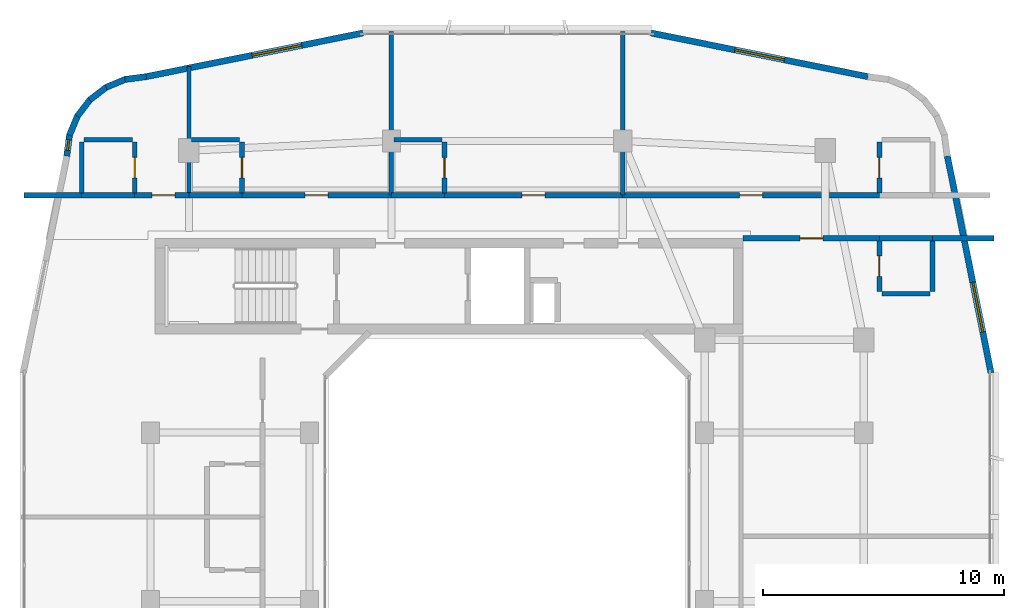
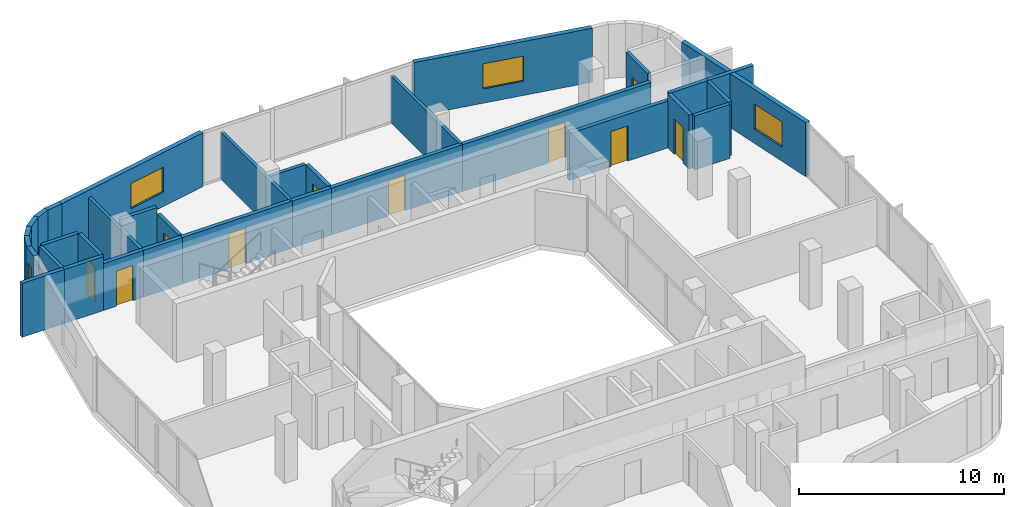
# One storey, part 9 of 14: 34 walls, 10 doors, 4 windows, 14 openings.
"""IFC4 building model written with IfcOpenShell, lengths in metres."""

from ifc_helpers import new_model, si_unit, derived_unit, direction, frame, frame_2d, origin, place, context, subcontext, project, spatial, rectangle, extrude, material, layer, layer_set, type_object, element, fill, save


model = new_model("IFC4")

# Units and contexts
model_context = context("Model", 3, precision=1e-05, world=origin(), true_north=direction((0.0, 1.0)))
body_context = subcontext(model_context, "Body", "Model", "MODEL_VIEW")
ifc_project = project(units=[si_unit("LENGTHUNIT", "METRE"), si_unit("AREAUNIT", "SQUARE_METRE"), si_unit("VOLUMEUNIT", "CUBIC_METRE"), si_unit("PLANEANGLEUNIT", "RADIAN"), si_unit("MASSUNIT", "GRAM", prefix="KILO"), derived_unit("THERMALTRANSMITTANCEUNIT", [(si_unit("POWERUNIT", "WATT"), 1), (si_unit("LENGTHUNIT", "METRE"), -2), (si_unit("THERMODYNAMICTEMPERATUREUNIT", "KELVIN"), -1)])], contexts=[model_context])

# Site, building, storey
site_placement = place(None, origin())
site = spatial("IfcSite", under=ifc_project, at=site_placement, CompositionType="ELEMENT")
building_placement = place(site_placement, origin())
building = spatial("IfcBuilding", under=site, at=building_placement, Name="Kivonza Crest Hotel", CompositionType="ELEMENT")
storey_placement = place(building_placement, frame((0.0, 0.0, 159.0)))
storey = spatial("IfcBuildingStorey", under=building, at=storey_placement, Name="L43", CompositionType="ELEMENT", Elevation=159.0)

# Walls
ifc_material_1 = material(Name="High-density acoustic masonry inter-tenancy wall", Category="masonry")
ifc_layer_1 = layer(ifc_material_1, 0.179931640625)
ifc_layer_set_1 = layer_set([ifc_layer_1], Name="High-density acoustic masonry inter-tenancy wall")
wall_type_1 = type_object("IfcWallType", Name="WL-ACOU-180", PredefinedType="SOLIDWALL", material=ifc_layer_set_1)
wall_1_placement = place(storey_placement, frame((7.800048828125, 38.35009765625, 0.0), z_axis=(0.0, 0.0, 1.0), x_axis=(0.0, 1.0, 0.0)))
element("IfcWall", 1, at=wall_1_placement, inside=storey, type_object=wall_type_1, Name="L43 interior partition WA-L43-T1N-DIV1", PredefinedType="SOLIDWALL", context=body_context, shape_type="SweptSolid", body=[
    extrude(rectangle(XDim=5.350830078125, YDim=0.179931640625, at=frame_2d((2.67529296875, 0.0))), origin(), (0.0, 0.0, 1.0), 2.794921875),
])
for number, where, z_axis, x_axis, name in (
    (2, (16.199951171875, 38.35009765625, 0.0), (0.0, 0.0, 1.0), (0.0, 1.0, 0.0), "L43 interior partition WA-L43-T1N-DIV2"),
    (3, (25.800048828125, 38.35009765625, 0.0), (0.0, 0.0, 1.0), (0.0, 1.0, 0.0), "L43 interior partition WA-L43-T1N-DIV3"),
):
    element("IfcWall", number, at=place(storey_placement, frame(where, z_axis=z_axis, x_axis=x_axis)), inside=storey, type_object=wall_type_1, Name=name, PredefinedType="SOLIDWALL", context=body_context, shape_type="SweptSolid", body=[
        extrude(rectangle(XDim=6.789794921875, YDim=0.179931640625, at=frame_2d((3.39501953125, 0.0))), origin(), (0.0, 0.0, 1.0), 2.794921875),
    ])
ifc_material_2 = material(Name="Autoclaved aerated concrete blockwork", Category="masonry")
ifc_layer_2 = layer(ifc_material_2, 0.219970703125)
ifc_layer_set_2 = layer_set([ifc_layer_2], Name="Autoclaved aerated concrete blockwork")
wall_type_2 = type_object("IfcWallType", Name="WL-ACOU-220", PredefinedType="SOLIDWALL", material=ifc_layer_set_2)
wall_2_placement = place(storey_placement, frame((0.9599609375, 38.35009765625, 0.0), z_axis=(0.0, 0.0, 1.0), x_axis=(1.0, 0.0, 0.0)))
element("IfcWall", 4, at=wall_2_placement, inside=storey, type_object=wall_type_2, Name="L43 interior partition WA-L43-N01-XCORR", PredefinedType="SOLIDWALL", context=body_context, shape_type="SweptSolid", body=[
    extrude(rectangle(XDim=2.39013671875, YDim=0.219970703125, at=frame_2d((1.195068359375, 0.0))), origin(), (0.0, 0.0, 1.0), 3.219970703125),
])
wall_3_placement = place(storey_placement, frame((3.35009765625, 38.35009765625, 0.0), z_axis=(0.0, 0.0, 1.0), x_axis=(1.0, 0.0, 0.0)))
element("IfcWall", 5, at=wall_3_placement, inside=storey, type_object=wall_type_2, Name="L43 interior partition WA-L43-N01-BCORR", PredefinedType="SOLIDWALL", context=body_context, shape_type="SweptSolid", body=[
    extrude(rectangle(XDim=2.199951171875, YDim=0.219970703125, at=frame_2d((1.10009765625, 0.0))), origin(), (0.0, 0.0, 1.0), 3.219970703125),
])

# Wall, opening, door
wall_4_placement = place(storey_placement, frame((5.550048828125, 38.35009765625, 0.0), z_axis=(0.0, 0.0, 1.0), x_axis=(1.0, 0.0, 0.0)))
wall_4 = element("IfcWall", 6, at=wall_4_placement, inside=storey, type_object=wall_type_2, Name="L43 interior partition WA-L43-N01-MCORR", PredefinedType="SOLIDWALL", context=body_context, shape_type="SweptSolid", body=[
    extrude(rectangle(XDim=2.25, YDim=0.219970703125, at=frame_2d((1.125, 0.0))), origin(), (0.0, 0.0, 1.0), 2.794921875),
])
opening_1_placement = place(wall_4_placement, frame((0.719970703125, 0.0, 0.0)))
opening_1 = element("IfcOpeningElement", 7, at=opening_1_placement, cuts=wall_4, Name="Opening DU-60", PredefinedType="OPENING", context=body_context, shape_type="SweptSolid", body=[
    extrude(rectangle(XDim=0.949951171875, YDim=2.10009765625, at=frame_2d((0.47509765625, 1.050048828125))), frame((0.0, 0.1201171875, 0.0), z_axis=(0.0, -1.0, 0.0), x_axis=(1.0, 0.0, 0.0)), (0.0, 0.0, 1.0), 0.239990234375),
])
ifc_material_3 = material(Name="Hardwood timber oak", Category="wood")
door_type_1 = type_object("IfcDoorType", Name="DR-UNIT-950", OperationType="NOTDEFINED", PredefinedType="DOOR", material=ifc_material_3)
door_1_placement = place(opening_1_placement, origin())
door_1 = element("IfcDoor", 8, at=door_1_placement, inside=storey, type_object=door_type_1, Name="L43 N01 guest unit entrance fire door", OperationType="SINGLE_SWING_LEFT", OverallHeight=2.10009765625, OverallWidth=0.949951171875, PredefinedType="DOOR", context=body_context, shape_type="SweptSolid", body=[
    extrude(rectangle(XDim=0.949951171875, YDim=2.10009765625, at=frame_2d((0.47509765625, 1.050048828125))), frame((0.0, 0.02490234375, 0.0), z_axis=(0.0, -1.0, 0.0), x_axis=(1.0, 0.0, 0.0)), (0.0, 0.0, 1.0), 0.050048828125),
])
fill(opening_1, door_1)

# Wall
wall_5_placement = place(storey_placement, frame((7.800048828125, 38.35009765625, 0.0), z_axis=(0.0, 0.0, 1.0), x_axis=(1.0, 0.0, 0.0)))
element("IfcWall", 9, at=wall_5_placement, inside=storey, type_object=wall_type_2, Name="L43 interior partition WA-L43-N02-BCORR", PredefinedType="SOLIDWALL", context=body_context, shape_type="SweptSolid", body=[
    extrude(rectangle(XDim=2.199951171875, YDim=0.219970703125, at=frame_2d((1.10009765625, 0.0))), origin(), (0.0, 0.0, 1.0), 2.794921875),
])

# Wall, opening, door
wall_6_placement = place(storey_placement, frame((10.0, 38.35009765625, 0.0), z_axis=(0.0, 0.0, 1.0), x_axis=(1.0, 0.0, 0.0)))
wall_6 = element("IfcWall", 10, at=wall_6_placement, inside=storey, type_object=wall_type_2, Name="L43 interior partition WA-L43-N02-MCORR", PredefinedType="SOLIDWALL", context=body_context, shape_type="SweptSolid", body=[
    extrude(rectangle(XDim=6.199951171875, YDim=0.219970703125, at=frame_2d((3.10009765625, 0.0))), origin(), (0.0, 0.0, 1.0), 2.794921875),
])
opening_2_placement = place(wall_6_placement, frame((2.625, 0.0, 0.0)))
opening_2 = element("IfcOpeningElement", 11, at=opening_2_placement, cuts=wall_6, Name="Opening DU-60", PredefinedType="OPENING", context=body_context, shape_type="SweptSolid", body=[
    extrude(rectangle(XDim=0.949951171875, YDim=2.10009765625, at=frame_2d((0.47509765625, 1.050048828125))), frame((0.0, 0.1201171875, 0.0), z_axis=(0.0, -1.0, 0.0), x_axis=(1.0, 0.0, 0.0)), (0.0, 0.0, 1.0), 0.239990234375),
])
door_2_placement = place(opening_2_placement, origin())
door_2 = element("IfcDoor", 12, at=door_2_placement, inside=storey, type_object=door_type_1, Name="L43 N02 guest unit entrance fire door", OperationType="SINGLE_SWING_RIGHT", OverallHeight=2.10009765625, OverallWidth=0.949951171875, PredefinedType="DOOR", context=body_context, shape_type="SweptSolid", body=[
    extrude(rectangle(XDim=0.949951171875, YDim=2.10009765625, at=frame_2d((0.47509765625, 1.050048828125))), frame((0.0, 0.02490234375, 0.0), z_axis=(0.0, -1.0, 0.0), x_axis=(1.0, 0.0, 0.0)), (0.0, 0.0, 1.0), 0.050048828125),
])
fill(opening_2, door_2)

# Wall
wall_7_placement = place(storey_placement, frame((16.199951171875, 38.35009765625, 0.0), z_axis=(0.0, 0.0, 1.0), x_axis=(1.0, 0.0, 0.0)))
element("IfcWall", 13, at=wall_7_placement, inside=storey, type_object=wall_type_2, Name="L43 interior partition WA-L43-N03-BCORR", PredefinedType="SOLIDWALL", context=body_context, shape_type="SweptSolid", body=[
    extrude(rectangle(XDim=2.199951171875, YDim=0.219970703125, at=frame_2d((1.10009765625, 0.0))), origin(), (0.0, 0.0, 1.0), 2.794921875),
])

# Wall, opening, door
wall_8_placement = place(storey_placement, frame((18.39990234375, 38.35009765625, 0.0), z_axis=(0.0, 0.0, 1.0), x_axis=(1.0, 0.0, 0.0)))
wall_8 = element("IfcWall", 14, at=wall_8_placement, inside=storey, type_object=wall_type_2, Name="L43 interior partition WA-L43-N03-MCORR", PredefinedType="SOLIDWALL", context=body_context, shape_type="SweptSolid", body=[
    extrude(rectangle(XDim=7.400146484375, YDim=0.219970703125, at=frame_2d((3.7001953125, 0.0))), origin(), (0.0, 0.0, 1.0), 2.794921875),
])
opening_3_placement = place(wall_8_placement, frame((3.22509765625, 0.0, 0.0)))
opening_3 = element("IfcOpeningElement", 15, at=opening_3_placement, cuts=wall_8, Name="Opening DU-60", PredefinedType="OPENING", context=body_context, shape_type="SweptSolid", body=[
    extrude(rectangle(XDim=0.949951171875, YDim=2.10009765625, at=frame_2d((0.47509765625, 1.050048828125))), frame((0.0, 0.1201171875, 0.0), z_axis=(0.0, -1.0, 0.0), x_axis=(1.0, 0.0, 0.0)), (0.0, 0.0, 1.0), 0.239990234375),
])
door_3_placement = place(opening_3_placement, origin())
door_3 = element("IfcDoor", 16, at=door_3_placement, inside=storey, type_object=door_type_1, Name="L43 N03 guest unit entrance fire door", OperationType="SINGLE_SWING_LEFT", OverallHeight=2.10009765625, OverallWidth=0.949951171875, PredefinedType="DOOR", context=body_context, shape_type="SweptSolid", body=[
    extrude(rectangle(XDim=0.949951171875, YDim=2.10009765625, at=frame_2d((0.47509765625, 1.050048828125))), frame((0.0, 0.02490234375, 0.0), z_axis=(0.0, -1.0, 0.0), x_axis=(1.0, 0.0, 0.0)), (0.0, 0.0, 1.0), 0.050048828125),
])
fill(opening_3, door_3)

wall_9_placement = place(storey_placement, frame((25.800048828125, 38.35009765625, 0.0), z_axis=(0.0, 0.0, 1.0), x_axis=(1.0, 0.0, 0.0)))
wall_9 = element("IfcWall", 17, at=wall_9_placement, inside=storey, type_object=wall_type_2, Name="L43 interior partition WA-L43-N04-MCORR", PredefinedType="SOLIDWALL", context=body_context, shape_type="SweptSolid", body=[
    extrude(rectangle(XDim=10.64990234375, YDim=0.219970703125, at=frame_2d((5.324951171875, 0.0))), origin(), (0.0, 0.0, 1.0), 2.794921875),
])
opening_4_placement = place(wall_9_placement, frame((4.85009765625, 0.0, 0.0)))
opening_4 = element("IfcOpeningElement", 18, at=opening_4_placement, cuts=wall_9, Name="Opening DU-60", PredefinedType="OPENING", context=body_context, shape_type="SweptSolid", body=[
    extrude(rectangle(XDim=0.949951171875, YDim=2.10009765625, at=frame_2d((0.47509765625, 1.050048828125))), frame((0.0, 0.1201171875, 0.0), z_axis=(0.0, -1.0, 0.0), x_axis=(1.0, 0.0, 0.0)), (0.0, 0.0, 1.0), 0.239990234375),
])
door_4_placement = place(opening_4_placement, origin())
door_4 = element("IfcDoor", 19, at=door_4_placement, inside=storey, type_object=door_type_1, Name="L43 N04 guest unit entrance fire door", OperationType="SINGLE_SWING_RIGHT", OverallHeight=2.10009765625, OverallWidth=0.949951171875, PredefinedType="DOOR", context=body_context, shape_type="SweptSolid", body=[
    extrude(rectangle(XDim=0.949951171875, YDim=2.10009765625, at=frame_2d((0.47509765625, 1.050048828125))), frame((0.0, 0.02490234375, 0.0), z_axis=(0.0, -1.0, 0.0), x_axis=(1.0, 0.0, 0.0)), (0.0, 0.0, 1.0), 0.050048828125),
])
fill(opening_4, door_4)

# Walls
wall_10_placement = place(storey_placement, frame((38.64990234375, 36.56005859375, 0.0), z_axis=(0.0, 0.0, 1.0), x_axis=(1.0, 0.0, 0.0)))
element("IfcWall", 20, at=wall_10_placement, inside=storey, type_object=wall_type_2, Name="L43 interior partition WA-L43-EN10-XCORR", PredefinedType="SOLIDWALL", context=body_context, shape_type="SweptSolid", body=[
    extrude(rectangle(XDim=2.550048828125, YDim=0.219970703125, at=frame_2d((1.27490234375, 0.0))), origin(), (0.0, 0.0, 1.0), 3.219970703125),
])
wall_11_placement = place(storey_placement, frame((36.449951171875, 36.56005859375, 0.0), z_axis=(0.0, 0.0, 1.0), x_axis=(1.0, 0.0, 0.0)))
element("IfcWall", 21, at=wall_11_placement, inside=storey, type_object=wall_type_2, Name="L43 interior partition WA-L43-EN10-BCORR", PredefinedType="SOLIDWALL", context=body_context, shape_type="SweptSolid", body=[
    extrude(rectangle(XDim=2.199951171875, YDim=0.219970703125, at=frame_2d((1.10009765625, 0.0))), origin(), (0.0, 0.0, 1.0), 3.219970703125),
])

# Wall, opening, door
wall_12_placement = place(storey_placement, frame((30.800048828125, 36.56005859375, 0.0), z_axis=(0.0, 0.0, 1.0), x_axis=(1.0, 0.0, 0.0)))
wall_12 = element("IfcWall", 22, at=wall_12_placement, inside=storey, type_object=wall_type_2, Name="L43 interior partition WA-L43-EN10-MCORR", PredefinedType="SOLIDWALL", context=body_context, shape_type="SweptSolid", body=[
    extrude(rectangle(XDim=5.64990234375, YDim=0.219970703125, at=frame_2d((2.824951171875, 0.0))), origin(), (0.0, 0.0, 1.0), 2.794921875),
])
opening_5_placement = place(wall_12_placement, frame((2.35009765625, 0.0, 0.0)))
opening_5 = element("IfcOpeningElement", 23, at=opening_5_placement, cuts=wall_12, Name="Opening DU-60", PredefinedType="OPENING", context=body_context, shape_type="SweptSolid", body=[
    extrude(rectangle(XDim=0.949951171875, YDim=2.10009765625, at=frame_2d((0.47509765625, 1.050048828125))), frame((0.0, 0.1201171875, 0.0), z_axis=(0.0, -1.0, 0.0), x_axis=(1.0, 0.0, 0.0)), (0.0, 0.0, 1.0), 0.239990234375),
])
door_5_placement = place(opening_5_placement, frame((0.949951171875, 0.0, 0.0), z_axis=(0.0, 0.0, 1.0), x_axis=(-1.0, 0.0, 0.0)))
door_5 = element("IfcDoor", 24, at=door_5_placement, inside=storey, type_object=door_type_1, Name="L43 EN10 guest unit entrance fire door", OperationType="SINGLE_SWING_LEFT", OverallHeight=2.10009765625, OverallWidth=0.949951171875, PredefinedType="DOOR", context=body_context, shape_type="SweptSolid", body=[
    extrude(rectangle(XDim=0.949951171875, YDim=2.10009765625, at=frame_2d((0.47509765625, 1.050048828125))), frame((0.0, 0.02490234375, 0.0), z_axis=(0.0, -1.0, 0.0), x_axis=(1.0, 0.0, 0.0)), (0.0, 0.0, 1.0), 0.050048828125),
])
fill(opening_5, door_5)

# Wall, opening, window
ifc_material_4 = material(Name="Precast concrete C40/50", Category="concrete")
ifc_layer_3 = layer(ifc_material_4, 0.260009765625)
ifc_layer_set_3 = layer_set([ifc_layer_3], Name="Precast concrete C40/50")
wall_type_3 = type_object("IfcWallType", Name="WL-EXT-260", PredefinedType="STANDARD", material=ifc_layer_set_3)
wall_13_placement = place(storey_placement, frame((41.083984375, 30.97998046875, 0.0), z_axis=(0.0, 0.0, 1.0), x_axis=(-0.197435082048, 0.980315963543, 0.0)))
wall_13 = element("IfcWall", 25, at=wall_13_placement, inside=storey, type_object=wall_type_3, Name="L43 T1 exterior insulated wall 18", PredefinedType="STANDARD", context=body_context, shape_type="SweptSolid", body=[
    extrude(rectangle(XDim=9.1826171875, YDim=0.260009765625, at=frame_2d((4.59130859375, 0.0))), origin(), (0.0, 0.0, 1.0), 3.219970703125),
])
opening_6_placement = place(wall_13_placement, frame((1.73388671875, 0.0, 0.85009765625)))
opening_6 = element("IfcOpeningElement", 26, at=opening_6_placement, cuts=wall_13, Name="Opening WN-04", PredefinedType="OPENING", context=body_context, shape_type="SweptSolid", body=[
    extrude(rectangle(XDim=2.10009765625, YDim=1.5, at=frame_2d((1.050048828125, 0.75))), frame((0.0, 0.14013671875, 0.0), z_axis=(0.0, -1.0, 0.0), x_axis=(1.0, 0.0, 0.0)), (0.0, 0.0, 1.0), 0.280029296875),
])
ifc_material_5 = material(Name="Thermally broken bronze aluminium and low-E double glazing", Category="aluminium")
window_type_1 = type_object("IfcWindowType", Name="WN-210x150", PartitioningType="DOUBLE_PANEL_VERTICAL", PredefinedType="WINDOW", material=ifc_material_5)
window_1_placement = place(opening_6_placement, origin())
window_1 = element("IfcWindow", 27, at=window_1_placement, inside=storey, type_object=window_type_1, Name="L43 T1 facade window 18", OverallHeight=1.5, OverallWidth=2.10009765625, PartitioningType="SINGLE_PANEL", PredefinedType="WINDOW", context=body_context, shape_type="SweptSolid", body=[
    extrude(rectangle(XDim=2.10009765625, YDim=1.5, at=frame_2d((1.050048828125, 0.75))), frame((0.0, 0.030029296875, 0.0), z_axis=(0.0, -1.0, 0.0), x_axis=(1.0, 0.0, 0.0)), (0.0, 0.0, 1.0), 0.06005859375),
])
fill(opening_6, window_1)

wall_14_placement = place(storey_placement, frame((35.98193359375, 43.27099609375, 0.0), z_axis=(0.0, 0.0, 1.0), x_axis=(-0.980315963543, 0.197435082048, 0.0)))
wall_14 = element("IfcWall", 28, at=wall_14_placement, inside=storey, type_object=wall_type_3, Name="L43 T1 exterior insulated wall 25", PredefinedType="STANDARD", context=body_context, shape_type="SweptSolid", body=[
    extrude(rectangle(XDim=9.1826171875, YDim=0.260009765625, at=frame_2d((4.59130859375, 0.0))), origin(), (0.0, 0.0, 1.0), 3.219970703125),
])
opening_7_placement = place(wall_14_placement, frame((3.541015625, 0.0, 0.85009765625)))
opening_7 = element("IfcOpeningElement", 29, at=opening_7_placement, cuts=wall_14, Name="Opening WN-04", PredefinedType="OPENING", context=body_context, shape_type="SweptSolid", body=[
    extrude(rectangle(XDim=2.10009765625, YDim=1.5, at=frame_2d((1.050048828125, 0.75))), frame((0.0, 0.14013671875, 0.0), z_axis=(0.0, -1.0, 0.0), x_axis=(1.0, 0.0, 0.0)), (0.0, 0.0, 1.0), 0.280029296875),
])
window_2_placement = place(opening_7_placement, origin())
window_2 = element("IfcWindow", 30, at=window_2_placement, inside=storey, type_object=window_type_1, Name="L43 T1 facade window 25", OverallHeight=1.5, OverallWidth=2.10009765625, PartitioningType="SINGLE_PANEL", PredefinedType="WINDOW", context=body_context, shape_type="SweptSolid", body=[
    extrude(rectangle(XDim=2.10009765625, YDim=1.5, at=frame_2d((1.050048828125, 0.75))), frame((0.0, 0.030029296875, 0.0), z_axis=(0.0, -1.0, 0.0), x_axis=(1.0, 0.0, 0.0)), (0.0, 0.0, 1.0), 0.06005859375),
])
fill(opening_7, window_2)

wall_15_placement = place(storey_placement, frame((15.02001953125, 45.083984375, 0.0), z_axis=(0.0, 0.0, 1.0), x_axis=(-0.980315963543, -0.197435082048, 0.0)))
wall_15 = element("IfcWall", 31, at=wall_15_placement, inside=storey, type_object=wall_type_3, Name="L43 T1 exterior insulated wall 27", PredefinedType="STANDARD", context=body_context, shape_type="SweptSolid", body=[
    extrude(rectangle(XDim=9.1826171875, YDim=0.260009765625, at=frame_2d((4.59130859375, 0.0))), origin(), (0.0, 0.0, 1.0), 3.219970703125),
])
opening_8_placement = place(wall_15_placement, frame((2.594970703125, 0.0, 0.85009765625)))
opening_8 = element("IfcOpeningElement", 32, at=opening_8_placement, cuts=wall_15, Name="Opening WN-04", PredefinedType="OPENING", context=body_context, shape_type="SweptSolid", body=[
    extrude(rectangle(XDim=2.10009765625, YDim=1.5, at=frame_2d((1.050048828125, 0.75))), frame((0.0, 0.14013671875, 0.0), z_axis=(0.0, -1.0, 0.0), x_axis=(1.0, 0.0, 0.0)), (0.0, 0.0, 1.0), 0.280029296875),
])
window_3_placement = place(opening_8_placement, origin())
window_3 = element("IfcWindow", 33, at=window_3_placement, inside=storey, type_object=window_type_1, Name="L43 T1 facade window 27", OverallHeight=1.5, OverallWidth=2.10009765625, PartitioningType="SINGLE_PANEL", PredefinedType="WINDOW", context=body_context, shape_type="SweptSolid", body=[
    extrude(rectangle(XDim=2.10009765625, YDim=1.5, at=frame_2d((1.050048828125, 0.75))), frame((0.0, 0.030029296875, 0.0), z_axis=(0.0, -1.0, 0.0), x_axis=(1.0, 0.0, 0.0)), (0.0, 0.0, 1.0), 0.06005859375),
])
fill(opening_8, window_3)

# Walls
wall_16_placement = place(storey_placement, frame((6.02490234375, 43.27197265625, 0.0), z_axis=(0.0, 0.0, 1.0), x_axis=(-0.991388484223, -0.130953706898, 0.0)))
element("IfcWall", 34, at=wall_16_placement, inside=storey, type_object=wall_type_3, Name="L43 T1 exterior insulated wall 28", PredefinedType="STANDARD", context=body_context, shape_type="SweptSolid", body=[
    extrude(rectangle(XDim=0.885498046875, YDim=0.260009765625, at=frame_2d((0.44287109375, 0.0))), origin(), (0.0, 0.0, 1.0), 3.219970703125),
])
wall_17_placement = place(storey_placement, frame((5.193115234375, 43.174072265625, 0.0), z_axis=(0.0, 0.0, 1.0), x_axis=(-0.923627776508, -0.383290660547, 0.0)))
element("IfcWall", 35, at=wall_17_placement, inside=storey, type_object=wall_type_3, Name="L43 T1 exterior insulated wall 29", PredefinedType="STANDARD", context=body_context, shape_type="SweptSolid", body=[
    extrude(rectangle(XDim=0.9033203125, YDim=0.260009765625, at=frame_2d((0.45166015625, 0.0))), origin(), (0.0, 0.0, 1.0), 3.219970703125),
])
wall_18_placement = place(storey_placement, frame((4.39892578125, 42.85595703125, 0.0), z_axis=(0.0, 0.0, 1.0), x_axis=(-0.793458244748, -0.608624690463, 0.0)))
element("IfcWall", 36, at=wall_18_placement, inside=storey, type_object=wall_type_3, Name="L43 T1 exterior insulated wall 30", PredefinedType="STANDARD", context=body_context, shape_type="SweptSolid", body=[
    extrude(rectangle(XDim=0.902099609375, YDim=0.260009765625, at=frame_2d((0.451171875, 0.0))), origin(), (0.0, 0.0, 1.0), 3.219970703125),
])
wall_19_placement = place(storey_placement, frame((3.714111328125, 42.344970703125, 0.0), z_axis=(0.0, 0.0, 1.0), x_axis=(-0.608494022858, -0.793558456666, 0.0)))
element("IfcWall", 37, at=wall_19_placement, inside=storey, type_object=wall_type_3, Name="L43 T1 exterior insulated wall 31", PredefinedType="STANDARD", context=body_context, shape_type="SweptSolid", body=[
    extrude(rectangle(XDim=0.90234375, YDim=0.260009765625, at=frame_2d((0.451171875, 0.0))), origin(), (0.0, 0.0, 1.0), 3.219970703125),
])
wall_20_placement = place(storey_placement, frame((3.18603515625, 41.673095703125, 0.0), z_axis=(0.0, 0.0, 1.0), x_axis=(-0.383155708213, -0.923683767999, 0.0)))
element("IfcWall", 38, at=wall_20_placement, inside=storey, type_object=wall_type_3, Name="L43 T1 exterior insulated wall 32", PredefinedType="STANDARD", context=body_context, shape_type="SweptSolid", body=[
    extrude(rectangle(XDim=0.90283203125, YDim=0.260009765625, at=frame_2d((0.451416015625, 0.0))), origin(), (0.0, 0.0, 1.0), 3.219970703125),
])

# Wall, opening, window
wall_21_placement = place(storey_placement, frame((2.847900390625, 40.887939453125, 0.0), z_axis=(0.0, 0.0, 1.0), x_axis=(-0.130200706103, -0.991487658083, 0.0)))
wall_21 = element("IfcWall", 39, at=wall_21_placement, inside=storey, type_object=wall_type_3, Name="L43 T1 exterior insulated wall 33", PredefinedType="STANDARD", context=body_context, shape_type="SweptSolid", body=[
    extrude(rectangle(XDim=0.920654296875, YDim=0.260009765625, at=frame_2d((0.46044921875, 0.0))), origin(), (0.0, 0.0, 1.0), 3.219970703125),
])
opening_9_placement = place(wall_21_placement, frame((0.235107421875, 0.0, 0.85009765625)))
opening_9 = element("IfcOpeningElement", 40, at=opening_9_placement, cuts=wall_21, Name="Opening WN-11", PredefinedType="OPENING", context=body_context, shape_type="SweptSolid", body=[
    extrude(rectangle(XDim=0.449951171875, YDim=1.5, at=frame_2d((0.22509765625, 0.75))), frame((0.0, 0.14013671875, 0.0), z_axis=(0.0, -1.0, 0.0), x_axis=(1.0, 0.0, 0.0)), (0.0, 0.0, 1.0), 0.280029296875),
])
window_type_2 = type_object("IfcWindowType", Name="WN-045x150", PartitioningType="SINGLE_PANEL", PredefinedType="WINDOW", material=ifc_material_5)
window_4_placement = place(opening_9_placement, origin())
window_4 = element("IfcWindow", 41, at=window_4_placement, inside=storey, type_object=window_type_2, Name="L43 corner vision window 1", OverallHeight=1.5, OverallWidth=0.449951171875, PartitioningType="SINGLE_PANEL", PredefinedType="WINDOW", context=body_context, shape_type="SweptSolid", body=[
    extrude(rectangle(XDim=0.449951171875, YDim=1.5, at=frame_2d((0.22509765625, 0.75))), frame((0.0, 0.030029296875, 0.0), z_axis=(0.0, -1.0, 0.0), x_axis=(1.0, 0.0, 0.0)), (0.0, 0.0, 1.0), 0.06005859375),
])
fill(opening_9, window_4)

# Wall, opening, door
ifc_material_6 = material(Name="Moisture-resistant plumbing chase partition wall", Category="gypsum")
ifc_layer_4 = layer(ifc_material_6, 0.199951171875)
ifc_layer_set_4 = layer_set([ifc_layer_4], Name="Moisture-resistant plumbing chase partition wall")
wall_type_4 = type_object("IfcWallType", Name="WL-PLUMB-200", PredefinedType="PLUMBINGWALL", material=ifc_layer_set_4)
wall_22_placement = place(storey_placement, frame((5.550048828125, 38.449951171875, 0.0), z_axis=(0.0, 0.0, 1.0), x_axis=(0.0, 1.0, 0.0)))
wall_22 = element("IfcWall", 42, at=wall_22_placement, inside=storey, type_object=wall_type_4, Name="L43 interior partition WW-L43-N01-BV", PredefinedType="PLUMBINGWALL", context=body_context, shape_type="SweptSolid", body=[
    extrude(rectangle(XDim=2.10009765625, YDim=0.199951171875, at=frame_2d((1.050048828125, 0.0))), origin(), (0.0, 0.0, 1.0), 3.219970703125),
])
opening_10_placement = place(wall_22_placement, frame((0.625, 0.0, 0.0)))
opening_10 = element("IfcOpeningElement", 43, at=opening_10_placement, cuts=wall_22, Name="Opening DI-85", PredefinedType="OPENING", context=body_context, shape_type="SweptSolid", body=[
    extrude(rectangle(XDim=0.85009765625, YDim=2.10009765625, at=frame_2d((0.425048828125, 1.050048828125))), frame((0.0, 0.10986328125, 0.0), z_axis=(0.0, -1.0, 0.0), x_axis=(1.0, 0.0, 0.0)), (0.0, 0.0, 1.0), 0.219970703125),
])
door_type_2 = type_object("IfcDoorType", Name="DR-INT-850", OperationType="NOTDEFINED", PredefinedType="DOOR", material=ifc_material_3)
door_6_placement = place(opening_10_placement, frame((0.85009765625, 0.0, 0.0), z_axis=(0.0, 0.0, 1.0), x_axis=(-1.0, 0.0, 0.0)))
door_6 = element("IfcDoor", 44, at=door_6_placement, inside=storey, type_object=door_type_2, Name="L43 N01 en-suite bathroom door", OperationType="SINGLE_SWING_RIGHT", OverallHeight=2.10009765625, OverallWidth=0.85009765625, PredefinedType="DOOR", context=body_context, shape_type="SweptSolid", body=[
    extrude(rectangle(XDim=0.85009765625, YDim=2.10009765625, at=frame_2d((0.425048828125, 1.050048828125))), frame((0.0, 0.02490234375, 0.0), z_axis=(0.0, -1.0, 0.0), x_axis=(1.0, 0.0, 0.0)), (0.0, 0.0, 1.0), 0.050048828125),
])
fill(opening_10, door_6)

# Walls
wall_23_placement = place(storey_placement, frame((3.449951171875, 40.64990234375, 0.0), z_axis=(0.0, 0.0, 1.0), x_axis=(1.0, 0.0, 0.0)))
element("IfcWall", 45, at=wall_23_placement, inside=storey, type_object=wall_type_4, Name="L43 interior partition WW-L43-N01-BH", PredefinedType="PLUMBINGWALL", context=body_context, shape_type="SweptSolid", body=[
    extrude(rectangle(XDim=2.0, YDim=0.199951171875, at=frame_2d((1.0, 0.0))), origin(), (0.0, 0.0, 1.0), 3.219970703125),
])
wall_24_placement = place(storey_placement, frame((3.35009765625, 38.449951171875, 0.0), z_axis=(0.0, 0.0, 1.0), x_axis=(0.0, 1.0, 0.0)))
element("IfcWall", 46, at=wall_24_placement, inside=storey, type_object=wall_type_4, Name="L43 interior partition WW-L43-N01-BVW", PredefinedType="PLUMBINGWALL", context=body_context, shape_type="SweptSolid", body=[
    extrude(rectangle(XDim=2.10009765625, YDim=0.199951171875, at=frame_2d((1.050048828125, 0.0))), origin(), (0.0, 0.0, 1.0), 3.219970703125),
])

# Wall, opening, door
wall_25_placement = place(storey_placement, frame((10.0, 38.449951171875, 0.0), z_axis=(0.0, 0.0, 1.0), x_axis=(0.0, 1.0, 0.0)))
wall_25 = element("IfcWall", 47, at=wall_25_placement, inside=storey, type_object=wall_type_4, Name="L43 interior partition WW-L43-N02-BV", PredefinedType="PLUMBINGWALL", context=body_context, shape_type="SweptSolid", body=[
    extrude(rectangle(XDim=2.10009765625, YDim=0.199951171875, at=frame_2d((1.050048828125, 0.0))), origin(), (0.0, 0.0, 1.0), 2.8349609375),
])
opening_11_placement = place(wall_25_placement, frame((0.625, 0.0, 0.0)))
opening_11 = element("IfcOpeningElement", 48, at=opening_11_placement, cuts=wall_25, Name="Opening DI-85", PredefinedType="OPENING", context=body_context, shape_type="SweptSolid", body=[
    extrude(rectangle(XDim=0.85009765625, YDim=2.10009765625, at=frame_2d((0.425048828125, 1.050048828125))), frame((0.0, 0.10986328125, 0.0), z_axis=(0.0, -1.0, 0.0), x_axis=(1.0, 0.0, 0.0)), (0.0, 0.0, 1.0), 0.219970703125),
])
door_7_placement = place(opening_11_placement, frame((0.85009765625, 0.0, 0.0), z_axis=(0.0, 0.0, 1.0), x_axis=(-1.0, 0.0, 0.0)))
door_7 = element("IfcDoor", 49, at=door_7_placement, inside=storey, type_object=door_type_2, Name="L43 N02 en-suite bathroom door", OperationType="SINGLE_SWING_LEFT", OverallHeight=2.10009765625, OverallWidth=0.85009765625, PredefinedType="DOOR", context=body_context, shape_type="SweptSolid", body=[
    extrude(rectangle(XDim=0.85009765625, YDim=2.10009765625, at=frame_2d((0.425048828125, 1.050048828125))), frame((0.0, 0.02490234375, 0.0), z_axis=(0.0, -1.0, 0.0), x_axis=(1.0, 0.0, 0.0)), (0.0, 0.0, 1.0), 0.050048828125),
])
fill(opening_11, door_7)

# Wall
wall_26_placement = place(storey_placement, frame((7.89990234375, 40.64990234375, 0.0), z_axis=(0.0, 0.0, 1.0), x_axis=(1.0, 0.0, 0.0)))
element("IfcWall", 50, at=wall_26_placement, inside=storey, type_object=wall_type_4, Name="L43 interior partition WW-L43-N02-BH", PredefinedType="PLUMBINGWALL", context=body_context, shape_type="SweptSolid", body=[
    extrude(rectangle(XDim=2.0, YDim=0.199951171875, at=frame_2d((1.0, 0.0))), origin(), (0.0, 0.0, 1.0), 3.219970703125),
])

# Wall, opening, door
wall_27_placement = place(storey_placement, frame((18.39990234375, 38.449951171875, 0.0), z_axis=(0.0, 0.0, 1.0), x_axis=(0.0, 1.0, 0.0)))
wall_27 = element("IfcWall", 51, at=wall_27_placement, inside=storey, type_object=wall_type_4, Name="L43 interior partition WW-L43-N03-BV", PredefinedType="PLUMBINGWALL", context=body_context, shape_type="SweptSolid", body=[
    extrude(rectangle(XDim=2.10009765625, YDim=0.199951171875, at=frame_2d((1.050048828125, 0.0))), origin(), (0.0, 0.0, 1.0), 2.8349609375),
])
opening_12_placement = place(wall_27_placement, frame((0.625, 0.0, 0.0)))
opening_12 = element("IfcOpeningElement", 52, at=opening_12_placement, cuts=wall_27, Name="Opening DI-85", PredefinedType="OPENING", context=body_context, shape_type="SweptSolid", body=[
    extrude(rectangle(XDim=0.85009765625, YDim=2.10009765625, at=frame_2d((0.425048828125, 1.050048828125))), frame((0.0, 0.10986328125, 0.0), z_axis=(0.0, -1.0, 0.0), x_axis=(1.0, 0.0, 0.0)), (0.0, 0.0, 1.0), 0.219970703125),
])
door_8_placement = place(opening_12_placement, frame((0.85009765625, 0.0, 0.0), z_axis=(0.0, 0.0, 1.0), x_axis=(-1.0, 0.0, 0.0)))
door_8 = element("IfcDoor", 53, at=door_8_placement, inside=storey, type_object=door_type_2, Name="L43 N03 en-suite bathroom door", OperationType="SINGLE_SWING_RIGHT", OverallHeight=2.10009765625, OverallWidth=0.85009765625, PredefinedType="DOOR", context=body_context, shape_type="SweptSolid", body=[
    extrude(rectangle(XDim=0.85009765625, YDim=2.10009765625, at=frame_2d((0.425048828125, 1.050048828125))), frame((0.0, 0.02490234375, 0.0), z_axis=(0.0, -1.0, 0.0), x_axis=(1.0, 0.0, 0.0)), (0.0, 0.0, 1.0), 0.050048828125),
])
fill(opening_12, door_8)

# Wall
wall_28_placement = place(storey_placement, frame((16.300048828125, 40.64990234375, 0.0), z_axis=(0.0, 0.0, 1.0), x_axis=(1.0, 0.0, 0.0)))
element("IfcWall", 54, at=wall_28_placement, inside=storey, type_object=wall_type_4, Name="L43 interior partition WW-L43-N03-BH", PredefinedType="PLUMBINGWALL", context=body_context, shape_type="SweptSolid", body=[
    extrude(rectangle(XDim=2.0, YDim=0.199951171875, at=frame_2d((1.0, 0.0))), origin(), (0.0, 0.0, 1.0), 2.8349609375),
])

# Wall, opening, door
wall_29_placement = place(storey_placement, frame((36.449951171875, 38.449951171875, 0.0), z_axis=(0.0, 0.0, 1.0), x_axis=(0.0, 1.0, 0.0)))
wall_29 = element("IfcWall", 55, at=wall_29_placement, inside=storey, type_object=wall_type_4, Name="L43 interior partition WW-L43-N04-BV", PredefinedType="PLUMBINGWALL", context=body_context, shape_type="SweptSolid", body=[
    extrude(rectangle(XDim=2.10009765625, YDim=0.199951171875, at=frame_2d((1.050048828125, 0.0))), origin(), (0.0, 0.0, 1.0), 3.219970703125),
])
opening_13_placement = place(wall_29_placement, frame((0.625, 0.0, 0.0)))
opening_13 = element("IfcOpeningElement", 56, at=opening_13_placement, cuts=wall_29, Name="Opening DI-85", PredefinedType="OPENING", context=body_context, shape_type="SweptSolid", body=[
    extrude(rectangle(XDim=0.85009765625, YDim=2.10009765625, at=frame_2d((0.425048828125, 1.050048828125))), frame((0.0, 0.10986328125, 0.0), z_axis=(0.0, -1.0, 0.0), x_axis=(1.0, 0.0, 0.0)), (0.0, 0.0, 1.0), 0.219970703125),
])
door_9_placement = place(opening_13_placement, origin())
door_9 = element("IfcDoor", 57, at=door_9_placement, inside=storey, type_object=door_type_2, Name="L43 N04 en-suite bathroom door", OperationType="SINGLE_SWING_LEFT", OverallHeight=2.10009765625, OverallWidth=0.85009765625, PredefinedType="DOOR", context=body_context, shape_type="SweptSolid", body=[
    extrude(rectangle(XDim=0.85009765625, YDim=2.10009765625, at=frame_2d((0.425048828125, 1.050048828125))), frame((0.0, 0.02490234375, 0.0), z_axis=(0.0, -1.0, 0.0), x_axis=(1.0, 0.0, 0.0)), (0.0, 0.0, 1.0), 0.050048828125),
])
fill(opening_13, door_9)

wall_30_placement = place(storey_placement, frame((36.449951171875, 34.360107421875, 0.0), z_axis=(0.0, 0.0, 1.0), x_axis=(0.0, 1.0, 0.0)))
wall_30 = element("IfcWall", 58, at=wall_30_placement, inside=storey, type_object=wall_type_4, Name="L43 interior partition WW-L43-EN10-BV", PredefinedType="PLUMBINGWALL", context=body_context, shape_type="SweptSolid", body=[
    extrude(rectangle(XDim=2.099853515625, YDim=0.199951171875, at=frame_2d((1.0498046875, 0.0))), origin(), (0.0, 0.0, 1.0), 3.219970703125),
])
opening_14_placement = place(wall_30_placement, frame((0.625, 0.0, 0.0)))
opening_14 = element("IfcOpeningElement", 59, at=opening_14_placement, cuts=wall_30, Name="Opening DI-85", PredefinedType="OPENING", context=body_context, shape_type="SweptSolid", body=[
    extrude(rectangle(XDim=0.85009765625, YDim=2.10009765625, at=frame_2d((0.425048828125, 1.050048828125))), frame((0.0, 0.10986328125, 0.0), z_axis=(0.0, -1.0, 0.0), x_axis=(1.0, 0.0, 0.0)), (0.0, 0.0, 1.0), 0.219970703125),
])
door_10_placement = place(opening_14_placement, origin())
door_10 = element("IfcDoor", 60, at=door_10_placement, inside=storey, type_object=door_type_2, Name="L43 EN10 en-suite bathroom door", OperationType="SINGLE_SWING_RIGHT", OverallHeight=2.10009765625, OverallWidth=0.85009765625, PredefinedType="DOOR", context=body_context, shape_type="SweptSolid", body=[
    extrude(rectangle(XDim=0.85009765625, YDim=2.10009765625, at=frame_2d((0.425048828125, 1.050048828125))), frame((0.0, 0.02490234375, 0.0), z_axis=(0.0, -1.0, 0.0), x_axis=(1.0, 0.0, 0.0)), (0.0, 0.0, 1.0), 0.050048828125),
])
fill(opening_14, door_10)

# Walls
wall_31_placement = place(storey_placement, frame((36.550048828125, 34.260009765625, 0.0), z_axis=(0.0, 0.0, 1.0), x_axis=(1.0, 0.0, 0.0)))
element("IfcWall", 61, at=wall_31_placement, inside=storey, type_object=wall_type_4, Name="L43 interior partition WW-L43-EN10-BH", PredefinedType="PLUMBINGWALL", context=body_context, shape_type="SweptSolid", body=[
    extrude(rectangle(XDim=2.0, YDim=0.199951171875, at=frame_2d((1.0, 0.0))), origin(), (0.0, 0.0, 1.0), 3.219970703125),
])
wall_32_placement = place(storey_placement, frame((38.64990234375, 34.360107421875, 0.0), z_axis=(0.0, 0.0, 1.0), x_axis=(0.0, 1.0, 0.0)))
element("IfcWall", 62, at=wall_32_placement, inside=storey, type_object=wall_type_4, Name="L43 interior partition WW-L43-EN10-BVE", PredefinedType="PLUMBINGWALL", context=body_context, shape_type="SweptSolid", body=[
    extrude(rectangle(XDim=2.099853515625, YDim=0.199951171875, at=frame_2d((1.0498046875, 0.0))), origin(), (0.0, 0.0, 1.0), 3.219970703125),
])

save(model, "model.ifc")
